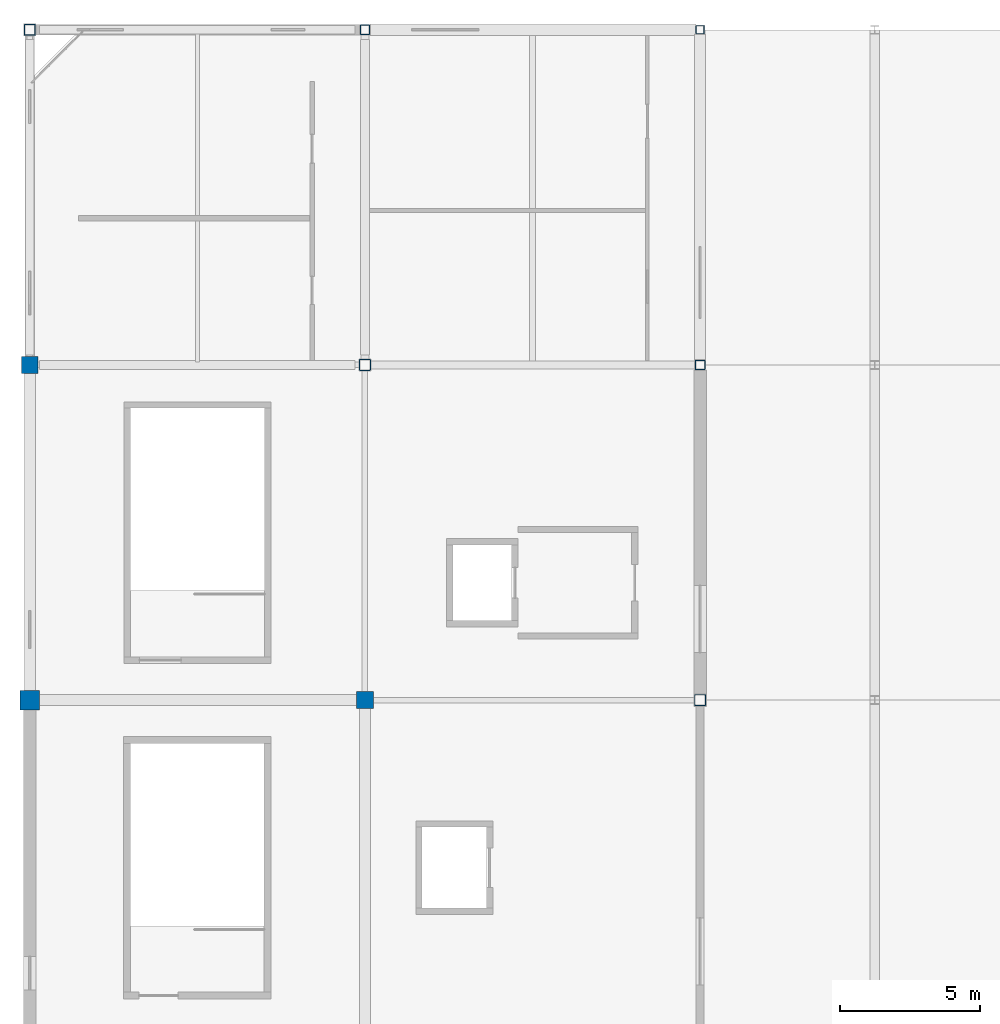
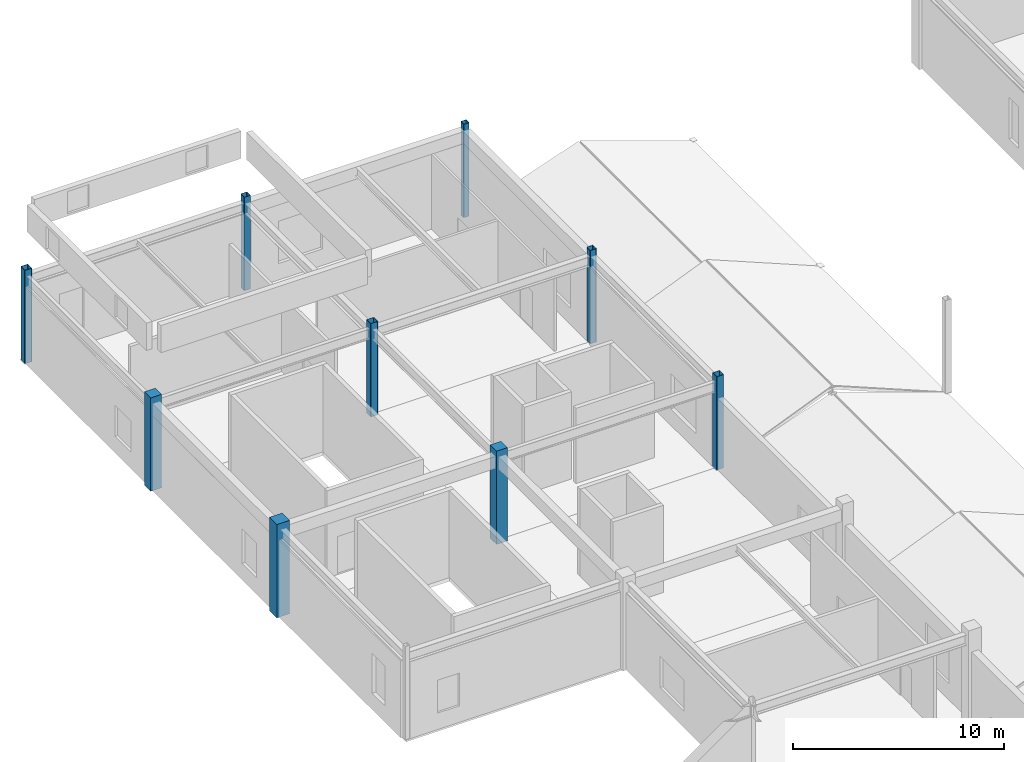
# One storey, part 19 of 76: 9 columns.
"""IFC4 building model written with IfcOpenShell, lengths in metres."""

from ifc_helpers import new_model, si_unit, direction, frame, origin, origin_2d, place, context, subcontext, project, spatial, rectangle, hollow_rectangle, extrude, material, material_profile, profile_set, type_object, element, save


model = new_model("IFC4")

# Units and contexts
model_context = context("Model", 3, precision=1e-05, world=origin(), true_north=direction((0.0, 1.0)))
body_context = subcontext(model_context, "Body", "Model", "MODEL_VIEW")
ifc_project = project(units=[si_unit("LENGTHUNIT", "METRE"), si_unit("AREAUNIT", "SQUARE_METRE"), si_unit("VOLUMEUNIT", "CUBIC_METRE"), si_unit("PLANEANGLEUNIT", "RADIAN"), si_unit("MASSUNIT", "GRAM", prefix="KILO")], contexts=[model_context])

# Site, building, storey
site_placement = place(None, origin())
site = spatial("IfcSite", under=ifc_project, at=site_placement, CompositionType="ELEMENT")
building_placement = place(site_placement, origin())
building = spatial("IfcBuilding", under=site, at=building_placement, Name="Kazenohara Klinker Stadium", CompositionType="ELEMENT")
storey_placement = place(building_placement, frame((0.0, 0.0, 25.800048828125)))
storey = spatial("IfcBuildingStorey", under=building, at=storey_placement, Name="L05", CompositionType="ELEMENT", Elevation=25.800048828125)

# Columns
ifc_material_1 = material(Name="Concrete C40/50", Category="concrete")
ifc_material_profile_1 = material_profile(ifc_material_1, rectangle(XDim=0.699951171875, YDim=0.699951171875, at=origin_2d()), Name="RC-COL-700x700")
ifc_profile_set_1 = profile_set([ifc_material_profile_1], Name="Concrete C40/50")
column_type_1 = type_object("IfcColumnType", Name="COL-RC06", PredefinedType="COLUMN", material=ifc_profile_set_1)
column_1_placement = place(storey_placement, frame((0.0, 144.0, 0.0), z_axis=(0.0, 0.0, 1.0), x_axis=(1.0, 0.0, 0.0)))
element("IfcColumn", 1, at=column_1_placement, inside=storey, type_object=column_type_1, Name="Column C06 L05 1/N", PredefinedType="COLUMN", context=body_context, shape_type="SweptSolid", body=[
    extrude(rectangle(XDim=0.699951171875, YDim=0.699951171875, at=origin_2d()), origin(), (0.0, 0.0, 1.0), 5.39990234375),
])
ifc_material_profile_2 = material_profile(ifc_material_1, rectangle(XDim=0.60009765625, YDim=0.60009765625, at=origin_2d()), Name="RC-COL-600x600")
ifc_profile_set_2 = profile_set([ifc_material_profile_2], Name="Concrete C40/50")
column_type_2 = type_object("IfcColumnType", Name="COL-RC07", PredefinedType="COLUMN", material=ifc_profile_set_2)
for number, where, z_axis, x_axis, name in (
    (2, (0.0, 156.0, 0.0), (0.0, 0.0, 1.0), (1.0, 0.0, 0.0), "Column C07 L05 1/P"),
    (3, (12.0, 144.0, 0.0), (0.0, 0.0, 1.0), (1.0, 0.0, 0.0), "Column C07 L05 2/N"),
):
    element("IfcColumn", number, at=place(storey_placement, frame(where, z_axis=z_axis, x_axis=x_axis)), inside=storey, type_object=column_type_2, Name=name, PredefinedType="COLUMN", context=body_context, shape_type="SweptSolid", body=[
        extrude(rectangle(XDim=0.60009765625, YDim=0.60009765625, at=origin_2d()), origin(), (0.0, 0.0, 1.0), 5.39990234375),
    ])
ifc_material_2 = material(Name="Steel S355", Category="steel")
ifc_material_profile_3 = material_profile(ifc_material_2, hollow_rectangle(XDim=0.39990234375, YDim=0.39990234375, WallThickness=0.01611328125, InnerFilletRadius=0.01611328125, OuterFilletRadius=0.031982421875, at=origin_2d()), Name="SHS-400x400x16")
ifc_profile_set_3 = profile_set([ifc_material_profile_3], Name="Steel S355")
column_type_3 = type_object("IfcColumnType", Name="COL-ST01", PredefinedType="COLUMN", material=ifc_profile_set_3)
for number, where, z_axis, x_axis, name in (
    (4, (0.0, 168.0, 0.0), (0.0, 0.0, 1.0), (1.0, 0.0, 0.0), "Column SC01 L05 1/Q"),
    (5, (12.0, 156.0, 0.0), (0.0, 0.0, 1.0), (1.0, 0.0, 0.0), "Column SC01 L05 2/P"),
    (6, (24.0, 144.0, 0.0), (0.0, 0.0, 1.0), (1.0, 0.0, 0.0), "Column SC01 L05 3/N"),
):
    element("IfcColumn", number, at=place(storey_placement, frame(where, z_axis=z_axis, x_axis=x_axis)), inside=storey, type_object=column_type_3, Name=name, PredefinedType="COLUMN", context=body_context, shape_type="SweptSolid", body=[
        extrude(hollow_rectangle(XDim=0.39990234375, YDim=0.39990234375, WallThickness=0.01611328125, InnerFilletRadius=0.01611328125, OuterFilletRadius=0.031982421875, at=origin_2d()), origin(), (0.0, 0.0, 1.0), 5.39990234375),
    ])
ifc_material_profile_4 = material_profile(ifc_material_2, hollow_rectangle(XDim=0.35009765625, YDim=0.35009765625, WallThickness=0.01611328125, InnerFilletRadius=0.01611328125, OuterFilletRadius=0.031982421875, at=origin_2d()), Name="SHS-350x350x16")
ifc_profile_set_4 = profile_set([ifc_material_profile_4], Name="Steel S355")
column_type_4 = type_object("IfcColumnType", Name="COL-ST02", PredefinedType="COLUMN", material=ifc_profile_set_4)
for number, where, z_axis, x_axis, name in (
    (7, (12.0, 168.0, 0.0), (0.0, 0.0, 1.0), (1.0, 0.0, 0.0), "Column SC02 L05 2/Q"),
    (8, (24.0, 156.0, 0.0), (0.0, 0.0, 1.0), (1.0, 0.0, 0.0), "Column SC02 L05 3/P"),
):
    element("IfcColumn", number, at=place(storey_placement, frame(where, z_axis=z_axis, x_axis=x_axis)), inside=storey, type_object=column_type_4, Name=name, PredefinedType="COLUMN", context=body_context, shape_type="SweptSolid", body=[
        extrude(hollow_rectangle(XDim=0.35009765625, YDim=0.35009765625, WallThickness=0.01611328125, InnerFilletRadius=0.01611328125, OuterFilletRadius=0.031982421875, at=origin_2d()), origin(), (0.0, 0.0, 1.0), 5.39990234375),
    ])
ifc_material_profile_5 = material_profile(ifc_material_2, hollow_rectangle(XDim=0.300048828125, YDim=0.300048828125, WallThickness=0.011962890625, InnerFilletRadius=0.011962890625, OuterFilletRadius=0.02392578125, at=origin_2d()), Name="SHS-300x300x12")
ifc_profile_set_5 = profile_set([ifc_material_profile_5], Name="Steel S355")
column_type_5 = type_object("IfcColumnType", Name="COL-ST03", PredefinedType="COLUMN", material=ifc_profile_set_5)
column_2_placement = place(storey_placement, frame((24.0, 168.0, 0.0), z_axis=(0.0, 0.0, 1.0), x_axis=(1.0, 0.0, 0.0)))
element("IfcColumn", 9, at=column_2_placement, inside=storey, type_object=column_type_5, Name="Column SC03 L05 3/Q", PredefinedType="COLUMN", context=body_context, shape_type="SweptSolid", body=[
    extrude(hollow_rectangle(XDim=0.300048828125, YDim=0.300048828125, WallThickness=0.011962890625, InnerFilletRadius=0.011962890625, OuterFilletRadius=0.02392578125, at=origin_2d()), origin(), (0.0, 0.0, 1.0), 5.39990234375),
])

save(model, "model.ifc")
